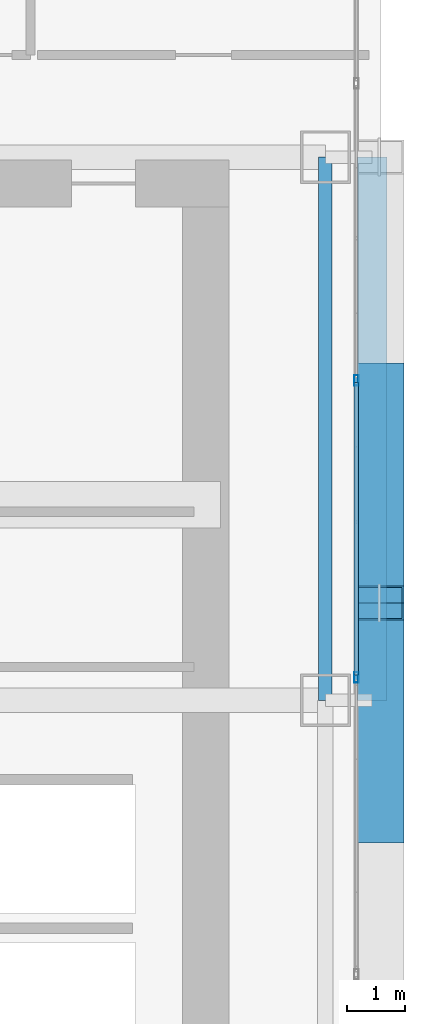
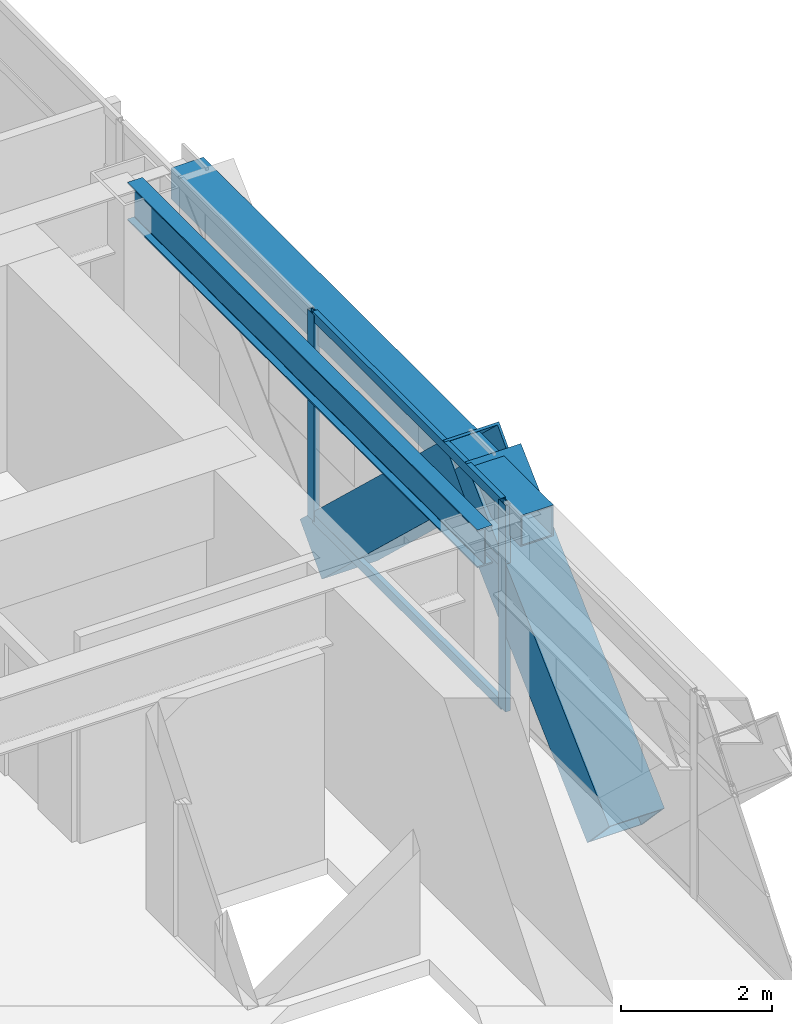
# One storey, part 18 of 41: 7 members, 2 beams, 1 element without a shape of its own.
"""IFC4 building model written with IfcOpenShell, lengths in metres."""

import ifcopenshell
import ifcopenshell.guid

model = None  # the IFC model being written
_history = None  # IfcOwnerHistory: only IFC2X3 demands one
_inside = {}  # id of a spatial element -> (the spatial element, [elements in it])
_under = {}  # id of a project, library or spatial element -> (it, [spatial elements below it])
_declared = {}  # id of a project -> (the project, [libraries it declares])
_typed = {}  # id of a type object -> (the type object, [elements of that type])
_made_of = {}  # id of a material, layer set ... -> (it, [elements and type objects made of it])


def new_model(schema):
    """Start an empty IFC model of exactly this schema.

    Asked for "IFC4X3", IfcOpenShell would pick the latest addendum, in which some entities
    have other attributes; the version numbers below select the first issue.
    IFC2X3 requires an IfcOwnerHistory on every rooted entity: one is made here for all.
    """
    global model, _history
    if schema == "IFC4X3":
        model = ifcopenshell.file(schema_version=(4, 3, 0, 0))
    else:
        model = ifcopenshell.file(schema=schema)
    _inside.clear()
    _under.clear()
    _declared.clear()
    _typed.clear()
    _made_of.clear()
    _history = None
    if model.schema == "IFC2X3":
        org = make("IfcOrganization", Name="unknown")
        user = make(
            "IfcPersonAndOrganization",
            ThePerson=make("IfcPerson", FamilyName="unknown"),
            TheOrganization=org,
        )
        app = make(
            "IfcApplication",
            ApplicationDeveloper=org,
            Version="unknown",
            ApplicationFullName="unknown",
            ApplicationIdentifier="unknown",
        )
        _history = make(
            "IfcOwnerHistory",
            OwningUser=user,
            OwningApplication=app,
            ChangeAction="ADDED",
            CreationDate=0,
        )
    return model


def make(cls, **values):
    """One entity of the class cls with the attributes given. An attribute that is None is left unset."""
    return model.create_entity(
        cls, **{name: value for name, value in values.items() if value is not None}
    )


def rooted(cls, **values):
    """An entity with a GlobalId (a new one), such as an element, a storey or a relation."""
    return make(cls, GlobalId=ifcopenshell.guid.new(), OwnerHistory=_history, **values)


def si_unit(unit_type, name, prefix=None):
    """IfcSIUnit, for example si_unit("LENGTHUNIT", "METRE", prefix="MILLI")."""
    return make("IfcSIUnit", UnitType=unit_type, Prefix=prefix, Name=name)


def assignment(units):
    """IfcUnitAssignment: the units of a project."""
    return None if units is None else make("IfcUnitAssignment", Units=units)


def point(xyz):
    """IfcCartesianPoint."""
    return None if xyz is None else make("IfcCartesianPoint", Coordinates=xyz)


def direction(xyz):
    """IfcDirection."""
    return None if xyz is None else make("IfcDirection", DirectionRatios=xyz)


def frame(location, z_axis=None, x_axis=None):
    """IfcAxis2Placement3D, a coordinate frame: its origin and axes. An axis left out is left unset."""
    return make(
        "IfcAxis2Placement3D",
        Location=point(location),
        Axis=direction(z_axis),
        RefDirection=direction(x_axis),
    )


def frame_2d(location, x_axis=None):
    """IfcAxis2Placement2D, a coordinate frame in the plane: its origin and x axis."""
    return make(
        "IfcAxis2Placement2D", Location=point(location), RefDirection=direction(x_axis)
    )


def origin():
    """The frame at (0, 0, 0) with its axes left unset."""
    return frame((0.0, 0.0, 0.0))


def origin_2d():
    """The frame at (0, 0) in the plane with its x axis left unset."""
    return frame_2d((0.0, 0.0))


def place(relative_to, where):
    """IfcLocalPlacement: puts the frame where relative to a parent placement (None: the world)."""
    return make(
        "IfcLocalPlacement", PlacementRelTo=relative_to, RelativePlacement=where
    )


def context(
    kind, dimensions, precision=None, world=None, true_north=None, identifier=None
):
    """IfcGeometricRepresentationContext, for example the 3D "Model" context."""
    return make(
        "IfcGeometricRepresentationContext",
        ContextIdentifier=identifier,
        ContextType=kind,
        CoordinateSpaceDimension=dimensions,
        Precision=precision,
        WorldCoordinateSystem=world,
        TrueNorth=true_north,
    )


def subcontext(parent, identifier, kind, view, scale=None):
    """IfcGeometricRepresentationSubContext, for example "Body" below "Model"."""
    return make(
        "IfcGeometricRepresentationSubContext",
        ContextIdentifier=identifier,
        ContextType=kind,
        ParentContext=parent,
        TargetScale=scale,
        TargetView=view,
    )


def project(units=None, contexts=None):
    """IfcProject with its units and contexts."""
    return rooted(
        "IfcProject",
        Name="project",
        RepresentationContexts=contexts,
        UnitsInContext=assignment(units),
    )


def spatial(cls, under=None, at=None, **own):
    """A site, building, storey or space (cls), placed at a placement, below another one or the project."""
    s = rooted(cls, ObjectPlacement=at, **own)
    if under is not None:
        _under.setdefault(under.id(), (under, []))[1].append(s)
    return s


def profile(cls, at=None, kind="AREA", **sizes):
    """A parametric profile (cls). Its sizes go by their IFC names, for example OverallWidth=200.0."""
    return make(cls, ProfileType=kind, Position=at, **sizes)


def hollow_rectangle(**sizes):
    """IfcRectangleHollowProfileDef."""
    return profile("IfcRectangleHollowProfileDef", **sizes)


def i_section(**sizes):
    """IfcIShapeProfileDef."""
    return profile("IfcIShapeProfileDef", **sizes)


def extrude(swept, where, along, depth):
    """IfcExtrudedAreaSolid: the profile swept, set in the frame where, extruded along a direction by depth."""
    return make(
        "IfcExtrudedAreaSolid",
        SweptArea=swept,
        Position=where,
        ExtrudedDirection=direction(along),
        Depth=depth,
    )


def shape(context_of_items, identifier, shape_type, items):
    """IfcShapeRepresentation: the items that make up one representation, for example the "Body"."""
    return make(
        "IfcShapeRepresentation",
        ContextOfItems=context_of_items,
        RepresentationIdentifier=identifier,
        RepresentationType=shape_type,
        Items=items,
    )


def source(mapping_origin, context_of_items, identifier, shape_type, items):
    """IfcRepresentationMap: a shape defined once, which mapped items show again and again."""
    return make(
        "IfcRepresentationMap",
        MappingOrigin=mapping_origin,
        MappedRepresentation=shape(context_of_items, identifier, shape_type, items),
    )


def transform(
    local_origin,
    x_axis=None,
    y_axis=None,
    z_axis=None,
    scale=None,
    scale2=None,
    scale3=None,
    uniform=True,
):
    """IfcCartesianTransformationOperator3D, or its non-uniform kind. x_axis, y_axis, z_axis: its Axis1, 2, 3."""
    if uniform:
        return make(
            "IfcCartesianTransformationOperator3D",
            Axis1=direction(x_axis),
            Axis2=direction(y_axis),
            LocalOrigin=point(local_origin),
            Scale=scale,
            Axis3=direction(z_axis),
        )
    return make(
        "IfcCartesianTransformationOperator3DnonUniform",
        Axis1=direction(x_axis),
        Axis2=direction(y_axis),
        LocalOrigin=point(local_origin),
        Scale=scale,
        Axis3=direction(z_axis),
        Scale2=scale2,
        Scale3=scale3,
    )


def mapped(mapping_source, mapping_target):
    """IfcMappedItem: shows the shape of a source again, moved by a transform."""
    return make(
        "IfcMappedItem", MappingSource=mapping_source, MappingTarget=mapping_target
    )


def material(Name=None, Category=None):
    """IfcMaterial."""
    return make("IfcMaterial", Name=Name, Category=Category)


def layer(
    of_material, thickness, ventilated=None, Name=None, Category=None, Priority=None
):
    """IfcMaterialLayer: one layer of a wall or slab, of a material (None: an air gap)."""
    return make(
        "IfcMaterialLayer",
        Material=of_material,
        LayerThickness=thickness,
        IsVentilated=ventilated,
        Name=Name,
        Category=Category,
        Priority=Priority,
    )


def layer_set(layers, Name=None):
    """IfcMaterialLayerSet."""
    return make("IfcMaterialLayerSet", MaterialLayers=layers, LayerSetName=Name)


def material_profile(
    of_material, cross_section, Name=None, Category=None, Priority=None
):
    """IfcMaterialProfile: a cross section and its material."""
    return make(
        "IfcMaterialProfile",
        Name=Name,
        Material=of_material,
        Profile=cross_section,
        Priority=Priority,
        Category=Category,
    )


def profile_set(profiles, Name=None, composite=None):
    """IfcMaterialProfileSet."""
    return make(
        "IfcMaterialProfileSet",
        Name=Name,
        MaterialProfiles=profiles,
        CompositeProfile=composite,
    )


def made_of(thing, what):
    """Note that an element or type object is made of a material, layer set ...; save() writes the relation."""
    if what is not None:
        _made_of.setdefault(what.id(), (what, []))[1].append(thing)
    return thing


def type_object(cls, material=None, **own):
    """A type object (cls), such as IfcWallType, which elements share."""
    return made_of(rooted(cls, **own), material)


def element(
    cls,
    number,
    at=None,
    inside=None,
    cuts=None,
    type_object=None,
    material=None,
    context=None,
    identifier="Body",
    shape_type=None,
    held_by="IfcProductDefinitionShape",
    body=None,
    shapes=None,
    **own,
):
    """One element of the class cls, such as IfcWall. Its Tag is "e" and its number.

    at: its placement. inside: the storey or other place that contains it. cuts: it is an
    opening in that element (IfcRelVoidsElement). A single representation is given by context,
    identifier, shape_type and body (its items); several are given by shapes. held_by: the class
    of the entity that holds the representations. save() writes the other relations.
    """
    e = rooted(cls, Tag="e%d" % number, ObjectPlacement=at, **own)
    if body is not None:
        shapes = [shape(context, identifier, shape_type, body)]
    if shapes is not None:
        e.Representation = make(held_by, Representations=shapes)
    if inside is not None:
        _inside.setdefault(inside.id(), (inside, []))[1].append(e)
    if cuts is not None:
        rooted(
            "IfcRelVoidsElement", RelatingBuildingElement=cuts, RelatedOpeningElement=e
        )
    if type_object is not None:
        _typed.setdefault(type_object.id(), (type_object, []))[1].append(e)
    return made_of(e, material)


def aggregate(whole, parts):
    """IfcRelAggregates: a whole, such as a stair, and the parts it consists of."""
    return rooted("IfcRelAggregates", RelatingObject=whole, RelatedObjects=parts)


def save(model, path):
    """Write the relations noted so far, then the file.

    IfcRelAggregates (storeys below a building ...), IfcRelContainedInSpatialStructure (elements
    in a storey), IfcRelDefinesByType, IfcRelAssociatesMaterial and IfcRelDeclares: one each for
    every whole, place, type object, material and project.
    """
    for whole, parts in _under.values():
        aggregate(whole, parts)
    for where, things in _inside.values():
        rooted(
            "IfcRelContainedInSpatialStructure",
            RelatedElements=things,
            RelatingStructure=where,
        )
    for kind, things in _typed.values():
        rooted("IfcRelDefinesByType", RelatedObjects=things, RelatingType=kind)
    for what, things in _made_of.values():
        rooted("IfcRelAssociatesMaterial", RelatedObjects=things, RelatingMaterial=what)
    for by, libraries in _declared.values():
        rooted("IfcRelDeclares", RelatingContext=by, RelatedDefinitions=libraries)
    model.write(path)


model = new_model("IFC4")

# Units and contexts
model_context = context("Model", 3, precision=1e-05, world=origin(), true_north=direction((0.0, 1.0)))
body_context = subcontext(model_context, "Body", "Model", "MODEL_VIEW")
ifc_project = project(units=[si_unit("LENGTHUNIT", "METRE"), si_unit("AREAUNIT", "SQUARE_METRE"), si_unit("VOLUMEUNIT", "CUBIC_METRE"), si_unit("PLANEANGLEUNIT", "RADIAN"), si_unit("MASSUNIT", "GRAM", prefix="KILO")], contexts=[model_context])

# Site, building, storey
site_placement = place(None, origin())
site = spatial("IfcSite", under=ifc_project, at=site_placement, CompositionType="ELEMENT")
building_placement = place(site_placement, origin())
building = spatial("IfcBuilding", under=site, at=building_placement, Name="Ocotamira Hotel", CompositionType="ELEMENT")
storey_placement = place(building_placement, frame((0.0, 0.0, 52.800048828125)))
storey = spatial("IfcBuildingStorey", under=building, at=storey_placement, Name="L12", CompositionType="ELEMENT", Elevation=52.800048828125)

# Beams
ifc_material_1 = material(Name="Steel ASTM A992 Grade 50", Category="steel")
ifc_material_profile_1 = material_profile(ifc_material_1, i_section(OverallWidth=0.22998046875, OverallDepth=0.616943359375, WebThickness=0.01318359375, FlangeThickness=0.022216796875, FilletRadius=0.012939453125, at=origin_2d()), Name="W24X94")
ifc_profile_set_1 = profile_set([ifc_material_profile_1], Name="Steel ASTM A992 Grade 50")
beam_type_1 = type_object("IfcBeamType", Name="BM-PRIM-W24X94", PredefinedType="BEAM", material=ifc_profile_set_1)
shared_shape_1 = source(origin(), body_context, "Body", "SweptSolid", [
    extrude(i_section(OverallWidth=0.22998046875, OverallDepth=0.616943359375, WebThickness=0.01318359375, FlangeThickness=0.022216796875, FilletRadius=0.012939453125, at=origin_2d()), origin(), (0.0, 0.0, 1.0), 9.300048828125),
])
beam_1_placement = place(storey_placement, frame((55.050048828125, 28.14990234375, 3.04150390625), z_axis=(0.0, 1.0, 0.0), x_axis=(-1.0, 0.0, 0.0)))
element("IfcBeam", 1, at=beam_1_placement, inside=storey, type_object=beam_type_1, Name="L12 Beam X55.05 Y28.15-37.45", PredefinedType="BEAM", context=body_context, shape_type="MappedRepresentation", body=[
    mapped(shared_shape_1, transform((0.0, 0.0, 0.0), scale=1.0)),
])
ifc_material_2 = material(Name="Steel ASTM A500 Grade C", Category="steel")
ifc_material_profile_2 = material_profile(ifc_material_2, hollow_rectangle(XDim=0.5, YDim=0.5, WallThickness=0.02001953125, at=origin_2d()), Name="HSS500X500X20")
ifc_profile_set_2 = profile_set([ifc_material_profile_2], Name="Steel ASTM A500 Grade C")
beam_type_2 = type_object("IfcBeamType", Name="BM-SPAN-HSS500", PredefinedType="USERDEFINED", material=ifc_profile_set_2)
shared_shape_2 = source(origin(), body_context, "Body", "SweptSolid", [
    extrude(hollow_rectangle(XDim=0.5, YDim=0.5, WallThickness=0.02001953125, at=origin_2d()), origin(), (0.0, 0.0, 1.0), 9.300048828125),
])
beam_2_placement = place(storey_placement, frame((55.85009765625, 28.14990234375, 3.099853515625), z_axis=(0.0, 1.0, 0.0), x_axis=(-1.0, 0.0, 0.0)))
element("IfcBeam", 2, at=beam_2_placement, inside=storey, type_object=beam_type_2, Name="L12 Edge Spandrel E Y28.15-37.45", ObjectType="SPANDREL", PredefinedType="USERDEFINED", context=body_context, shape_type="MappedRepresentation", body=[
    mapped(shared_shape_2, transform((0.0, 0.0, 0.0), scale=1.0)),
])

# Members
ifc_material_3 = material(Name="Pale-metal coated steel ASTM A913 Grade 65", Category="steel")
ifc_material_profile_3 = material_profile(ifc_material_3, hollow_rectangle(XDim=0.85009765625, YDim=0.85009765625, WallThickness=0.035888671875, at=origin_2d()), Name="BOX850X850X36")
ifc_profile_set_3 = profile_set([ifc_material_profile_3], Name="Pale-metal coated steel ASTM A913 Grade 65")
member_type_1 = type_object("IfcMemberType", Name="MEM-EXO-BOX850", PredefinedType="BRACE", material=ifc_profile_set_3)
shared_shape_3 = source(origin(), body_context, "Body", "SweptSolid", [
    extrude(hollow_rectangle(XDim=0.85009765625, YDim=0.85009765625, WallThickness=0.035888671875, at=origin_2d()), origin(), (0.0, 0.0, 1.0), 5.24658203125),
])
for number, where, z_axis, x_axis, name in (
    (3, (55.969970703125, 26.0, -0.5), (0.0, 0.72746596067, 0.686143772154), (-1.0, 0.0, 0.0), "L12 Exoskeleton Diagrid E1.2"),
    (4, (55.969970703125, 33.63330078125, -0.5), (0.0, -0.72746596067, 0.686143772154), (1.0, 0.0, 0.0), "L12 Exoskeleton Diagrid E2.1"),
):
    element("IfcMember", number, at=place(storey_placement, frame(where, z_axis=z_axis, x_axis=x_axis)), inside=storey, type_object=member_type_1, Name=name, PredefinedType="BRACE", context=body_context, shape_type="MappedRepresentation", body=[
        mapped(shared_shape_3, transform((0.0, 0.0, 0.0), scale=1.0)),
    ])

# Curtain wall, members
ifc_material_4 = material(Name="Anodised pale-metal aluminium and solar glass", Category="aluminium")
ifc_layer = layer(ifc_material_4, 0.179931640625)
ifc_layer_set = layer_set([ifc_layer], Name="Anodised pale-metal aluminium and solar glass")
curtain_wall_type = type_object("IfcCurtainWallType", Name="CW-SYS2-Z1", PredefinedType="NOTDEFINED", material=ifc_layer_set)
curtain_wall_placement = place(storey_placement, origin())
curtain_wall = element("IfcCurtainWall", 5, at=curtain_wall_placement, inside=storey, type_object=curtain_wall_type, Name="L12 Curtain Wall CW-2 CW-L12-E", PredefinedType="NOTDEFINED")
ifc_material_5 = material(Name="Anodised pale-metal aluminium 6063-T6", Category="aluminium")
ifc_material_profile_4 = material_profile(ifc_material_5, hollow_rectangle(XDim=0.080078125, YDim=0.179931640625, WallThickness=0.006103515625, at=origin_2d()), Name="HSS180X80X6")
ifc_profile_set_4 = profile_set([ifc_material_profile_4], Name="Anodised pale-metal aluminium 6063-T6")
member_type_2 = type_object("IfcMemberType", Name="CWM-180X75", PredefinedType="MULLION", material=ifc_profile_set_4)
shared_shape_4 = source(origin(), body_context, "Body", "SweptSolid", [
    extrude(hollow_rectangle(XDim=0.080078125, YDim=0.179931640625, WallThickness=0.006103515625, at=origin_2d()), origin(), (0.0, 0.0, 1.0), 3.349853515625),
])
member_1_placement = place(storey_placement, frame((55.580078125, 28.54296875, 0.0), z_axis=(0.0, 0.0, 1.0), x_axis=(-1.0, 0.0, 0.0)))
member_1 = element("IfcMember", 6, at=member_1_placement, type_object=member_type_2, Name="CW-2 mullion 5", PredefinedType="MULLION", context=body_context, shape_type="MappedRepresentation", body=[
    mapped(shared_shape_4, transform((0.0, 0.0, 0.0), scale=1.0)),
])
member_2_placement = place(storey_placement, frame((55.580078125, 33.628662109375, 0.0), z_axis=(0.0, 0.0, 1.0), x_axis=(-1.0, 0.0, 0.0)))
member_2 = element("IfcMember", 7, at=member_2_placement, type_object=member_type_2, Name="CW-2 mullion 6", PredefinedType="MULLION", context=body_context, shape_type="MappedRepresentation", body=[
    mapped(shared_shape_4, transform((0.0, 0.0, 0.0), scale=1.0)),
])
ifc_material_profile_5 = material_profile(ifc_material_5, hollow_rectangle(XDim=0.074951171875, YDim=0.14990234375, WallThickness=0.006103515625, at=origin_2d()), Name="HSS150X75X6")
ifc_profile_set_5 = profile_set([ifc_material_profile_5], Name="Anodised pale-metal aluminium 6063-T6")
member_type_3 = type_object("IfcMemberType", Name="CWT-150X75", PredefinedType="USERDEFINED", material=ifc_profile_set_5)
shared_shape_5 = source(origin(), body_context, "Body", "SweptSolid", [
    extrude(hollow_rectangle(XDim=0.074951171875, YDim=0.14990234375, WallThickness=0.006103515625, at=origin_2d()), origin(), (0.0, 0.0, 1.0), 5.005859375),
])
member_3_placement = place(storey_placement, frame((55.580078125, 28.582763671875, 0.037353515625), z_axis=(0.0, 1.0, 0.0), x_axis=(-1.0, 0.0, 0.0)))
member_3 = element("IfcMember", 8, at=member_3_placement, type_object=member_type_3, Name="CW-2 transom 5.1", ObjectType="TRANSOM", PredefinedType="USERDEFINED", context=body_context, shape_type="MappedRepresentation", body=[
    mapped(shared_shape_5, transform((0.0, 0.0, 0.0), scale=1.0)),
])
member_4_placement = place(storey_placement, frame((55.580078125, 28.582763671875, 2.349853515625), z_axis=(0.0, 1.0, 0.0), x_axis=(-1.0, 0.0, 0.0)))
member_4 = element("IfcMember", 9, at=member_4_placement, type_object=member_type_3, Name="CW-2 transom 5.2", ObjectType="TRANSOM", PredefinedType="USERDEFINED", context=body_context, shape_type="MappedRepresentation", body=[
    mapped(shared_shape_5, transform((0.0, 0.0, 0.0), scale=1.0)),
])
member_5_placement = place(storey_placement, frame((55.580078125, 28.582763671875, 3.3125), z_axis=(0.0, 1.0, 0.0), x_axis=(-1.0, 0.0, 0.0)))
member_5 = element("IfcMember", 10, at=member_5_placement, type_object=member_type_3, Name="CW-2 transom 5.3", ObjectType="TRANSOM", PredefinedType="USERDEFINED", context=body_context, shape_type="MappedRepresentation", body=[
    mapped(shared_shape_5, transform((0.0, 0.0, 0.0), scale=1.0)),
])
aggregate(curtain_wall, [member_1, member_2, member_3, member_4, member_5])

save(model, "model.ifc")
